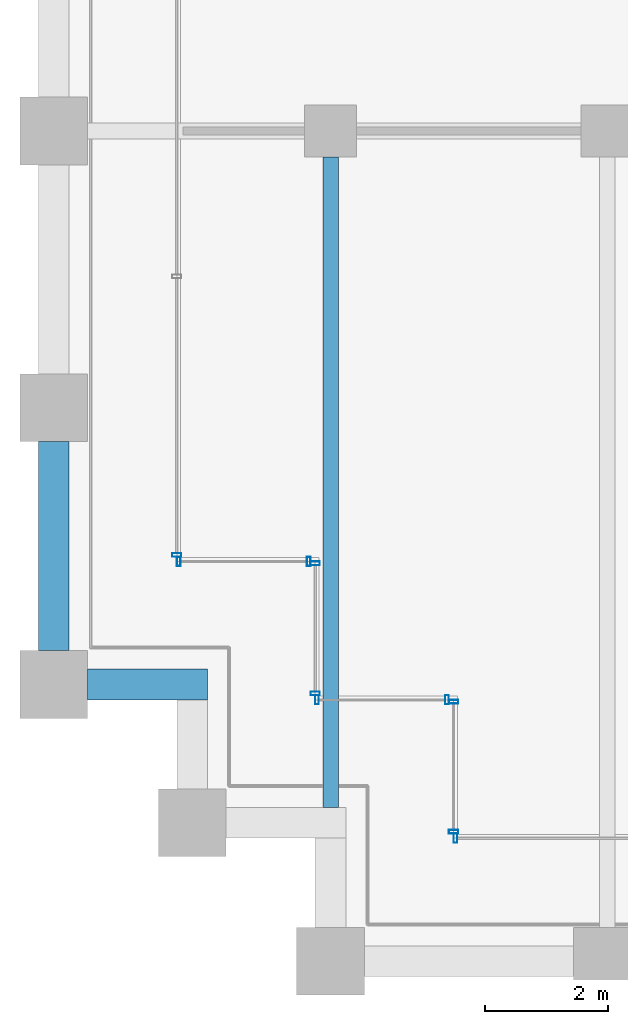
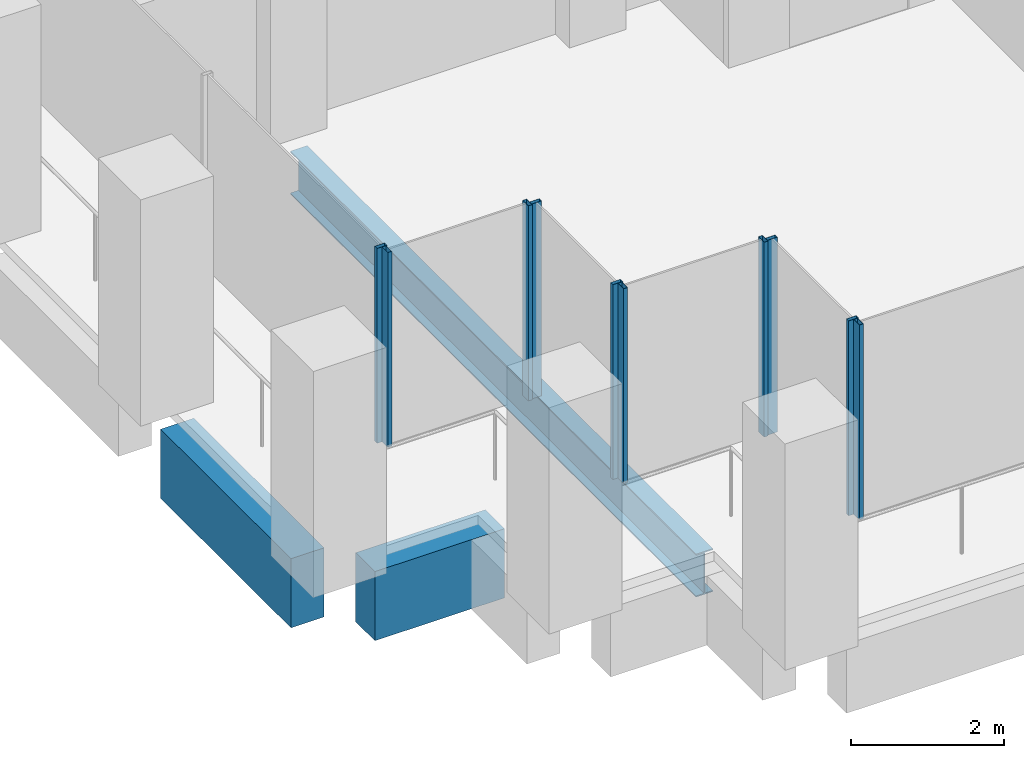
# One storey, part 2 of 56: 10 members, 3 beams, 6 elements without a shape of their own.
"""IFC4 building model written with IfcOpenShell, lengths in metres."""

from ifc_helpers import new_model, si_unit, direction, frame, origin, origin_2d, place, context, subcontext, project, spatial, rectangle, hollow_rectangle, i_section, extrude, material, material_profile, profile_set, type_object, element, aggregate, save


model = new_model("IFC4")

# Units and contexts
model_context = context("Model", 3, precision=1e-05, world=origin(), true_north=direction((0.0, 1.0)))
body_context = subcontext(model_context, "Body", "Model", "MODEL_VIEW")
ifc_project = project(units=[si_unit("LENGTHUNIT", "METRE"), si_unit("AREAUNIT", "SQUARE_METRE"), si_unit("VOLUMEUNIT", "CUBIC_METRE"), si_unit("PLANEANGLEUNIT", "RADIAN"), si_unit("MASSUNIT", "GRAM", prefix="KILO")], contexts=[model_context])

# Site, building, storey
site_placement = place(None, origin())
site = spatial("IfcSite", under=ifc_project, at=site_placement, CompositionType="ELEMENT")
building_placement = place(site_placement, origin())
building = spatial("IfcBuilding", under=site, at=building_placement, Name="Altepetl Exchange Towers", CompositionType="ELEMENT")
storey_placement = place(building_placement, frame((0.0, 0.0, 76.199951171875)))
storey = spatial("IfcBuildingStorey", under=building, at=storey_placement, Name="L18", CompositionType="ELEMENT", Elevation=76.199951171875)

# Beam
ifc_material_1 = material(Name="Steel S355", Category="steel")
ifc_material_profile_1 = material_profile(ifc_material_1, i_section(OverallWidth=0.25390625, OverallDepth=0.68408203125, WebThickness=0.012451171875, FlangeThickness=0.018798828125, at=origin_2d()), Name="W27X94")
ifc_profile_set_1 = profile_set([ifc_material_profile_1], Name="Steel S355")
beam_type_1 = type_object("IfcBeamType", Name="Floor beam W27X94", PredefinedType="BEAM", material=ifc_profile_set_1)
beam_1_placement = place(storey_placement, frame((31.5, 29.5, -0.491943359375), z_axis=(0.0, 1.0, 0.0), x_axis=(-1.0, 0.0, 0.0)))
element("IfcBeam", 1, at=beam_1_placement, inside=storey, type_object=beam_type_1, Name="bm:A:L18:012", PredefinedType="BEAM", context=body_context, shape_type="SweptSolid", body=[
    extrude(i_section(OverallWidth=0.25390625, OverallDepth=0.68408203125, WebThickness=0.012451171875, FlangeThickness=0.018798828125, at=origin_2d()), origin(), (0.0, 0.0, 1.0), 10.574951171875),
])

# Curtain wall, member
ifc_material_2 = material(Name="Aluminium 6063-T6 glazing", Category="aluminium")
curtain_wall_type = type_object("IfcCurtainWallType", Name="Loggia glazing system", PredefinedType="NOTDEFINED", material=ifc_material_2)
curtain_wall_1_placement = place(storey_placement, origin())
curtain_wall_1 = element("IfcCurtainWall", 2, at=curtain_wall_1_placement, inside=storey, type_object=curtain_wall_type, Name="CW1 run", PredefinedType="NOTDEFINED")
ifc_material_3 = material(Name="Aluminium 6063-T6", Category="aluminium")
ifc_material_profile_2 = material_profile(ifc_material_3, hollow_rectangle(XDim=0.06005859375, YDim=0.14990234375, WallThickness=0.0029296875, at=origin_2d()), Name="Mullion 60x150 aluminium")
ifc_profile_set_2 = profile_set([ifc_material_profile_2], Name="Aluminium 6063-T6")
member_type = type_object("IfcMemberType", Name="Mullion 60x150 aluminium", PredefinedType="MULLION", material=ifc_profile_set_2)
member_1_placement = place(storey_placement, frame((29.0, 33.60498046875, 0.0), z_axis=(0.0, 0.0, 1.0), x_axis=(0.0, -1.0, 0.0)))
member_1 = element("IfcMember", 3, at=member_1_placement, type_object=member_type, Name="MU1 mullion", PredefinedType="MULLION", context=body_context, shape_type="SweptSolid", body=[
    extrude(hollow_rectangle(XDim=0.06005859375, YDim=0.14990234375, WallThickness=0.0029296875, at=origin_2d()), origin(), (0.0, 0.0, 1.0), 3.10009765625),
])
aggregate(curtain_wall_1, [member_1])

# Curtain wall, members
curtain_wall_2_placement = place(storey_placement, origin())
curtain_wall_2 = element("IfcCurtainWall", 4, at=curtain_wall_2_placement, inside=storey, type_object=curtain_wall_type, Name="CW1 run", PredefinedType="NOTDEFINED")
member_2_placement = place(storey_placement, frame((29.030029296875, 33.5, 0.0)))
member_2 = element("IfcMember", 5, at=member_2_placement, type_object=member_type, Name="MU1 mullion", PredefinedType="MULLION", context=body_context, shape_type="SweptSolid", body=[
    extrude(hollow_rectangle(XDim=0.06005859375, YDim=0.14990234375, WallThickness=0.0029296875, at=origin_2d()), origin(), (0.0, 0.0, 1.0), 3.10009765625),
])
member_3_placement = place(storey_placement, frame((31.14501953125, 33.5, 0.0)))
member_3 = element("IfcMember", 6, at=member_3_placement, type_object=member_type, Name="MU1 mullion", PredefinedType="MULLION", context=body_context, shape_type="SweptSolid", body=[
    extrude(hollow_rectangle(XDim=0.06005859375, YDim=0.14990234375, WallThickness=0.0029296875, at=origin_2d()), origin(), (0.0, 0.0, 1.0), 3.10009765625),
])
aggregate(curtain_wall_2, [member_2, member_3])

curtain_wall_3_placement = place(storey_placement, origin())
curtain_wall_3 = element("IfcCurtainWall", 7, at=curtain_wall_3_placement, inside=storey, type_object=curtain_wall_type, Name="CW1 run", PredefinedType="NOTDEFINED")
member_4_placement = place(storey_placement, frame((31.25, 33.469970703125, 0.0), z_axis=(0.0, 0.0, 1.0), x_axis=(0.0, -1.0, 0.0)))
member_4 = element("IfcMember", 8, at=member_4_placement, type_object=member_type, Name="MU1 mullion", PredefinedType="MULLION", context=body_context, shape_type="SweptSolid", body=[
    extrude(hollow_rectangle(XDim=0.06005859375, YDim=0.14990234375, WallThickness=0.0029296875, at=origin_2d()), origin(), (0.0, 0.0, 1.0), 3.10009765625),
])
member_5_placement = place(storey_placement, frame((31.25, 31.35498046875, 0.0), z_axis=(0.0, 0.0, 1.0), x_axis=(0.0, -1.0, 0.0)))
member_5 = element("IfcMember", 9, at=member_5_placement, type_object=member_type, Name="MU1 mullion", PredefinedType="MULLION", context=body_context, shape_type="SweptSolid", body=[
    extrude(hollow_rectangle(XDim=0.06005859375, YDim=0.14990234375, WallThickness=0.0029296875, at=origin_2d()), origin(), (0.0, 0.0, 1.0), 3.10009765625),
])
aggregate(curtain_wall_3, [member_4, member_5])

curtain_wall_4_placement = place(storey_placement, origin())
curtain_wall_4 = element("IfcCurtainWall", 10, at=curtain_wall_4_placement, inside=storey, type_object=curtain_wall_type, Name="CW1 run", PredefinedType="NOTDEFINED")
member_6_placement = place(storey_placement, frame((31.280029296875, 31.25, 0.0)))
member_6 = element("IfcMember", 11, at=member_6_placement, type_object=member_type, Name="MU1 mullion", PredefinedType="MULLION", context=body_context, shape_type="SweptSolid", body=[
    extrude(hollow_rectangle(XDim=0.06005859375, YDim=0.14990234375, WallThickness=0.0029296875, at=origin_2d()), origin(), (0.0, 0.0, 1.0), 3.10009765625),
])
member_7_placement = place(storey_placement, frame((33.39501953125, 31.25, 0.0)))
member_7 = element("IfcMember", 12, at=member_7_placement, type_object=member_type, Name="MU1 mullion", PredefinedType="MULLION", context=body_context, shape_type="SweptSolid", body=[
    extrude(hollow_rectangle(XDim=0.06005859375, YDim=0.14990234375, WallThickness=0.0029296875, at=origin_2d()), origin(), (0.0, 0.0, 1.0), 3.10009765625),
])
aggregate(curtain_wall_4, [member_6, member_7])

curtain_wall_5_placement = place(storey_placement, origin())
curtain_wall_5 = element("IfcCurtainWall", 13, at=curtain_wall_5_placement, inside=storey, type_object=curtain_wall_type, Name="CW1 run", PredefinedType="NOTDEFINED")
member_8_placement = place(storey_placement, frame((33.5, 31.219970703125, 0.0), z_axis=(0.0, 0.0, 1.0), x_axis=(0.0, -1.0, 0.0)))
member_8 = element("IfcMember", 14, at=member_8_placement, type_object=member_type, Name="MU1 mullion", PredefinedType="MULLION", context=body_context, shape_type="SweptSolid", body=[
    extrude(hollow_rectangle(XDim=0.06005859375, YDim=0.14990234375, WallThickness=0.0029296875, at=origin_2d()), origin(), (0.0, 0.0, 1.0), 3.10009765625),
])
member_9_placement = place(storey_placement, frame((33.5, 29.10498046875, 0.0), z_axis=(0.0, 0.0, 1.0), x_axis=(0.0, -1.0, 0.0)))
member_9 = element("IfcMember", 15, at=member_9_placement, type_object=member_type, Name="MU1 mullion", PredefinedType="MULLION", context=body_context, shape_type="SweptSolid", body=[
    extrude(hollow_rectangle(XDim=0.06005859375, YDim=0.14990234375, WallThickness=0.0029296875, at=origin_2d()), origin(), (0.0, 0.0, 1.0), 3.10009765625),
])
aggregate(curtain_wall_5, [member_8, member_9])

# Curtain wall, member
curtain_wall_6_placement = place(storey_placement, origin())
curtain_wall_6 = element("IfcCurtainWall", 16, at=curtain_wall_6_placement, inside=storey, type_object=curtain_wall_type, Name="CW1 run", PredefinedType="NOTDEFINED")
member_10_placement = place(storey_placement, frame((33.530029296875, 29.0, 0.0)))
member_10 = element("IfcMember", 17, at=member_10_placement, type_object=member_type, Name="MU1 mullion", PredefinedType="MULLION", context=body_context, shape_type="SweptSolid", body=[
    extrude(hollow_rectangle(XDim=0.06005859375, YDim=0.14990234375, WallThickness=0.0029296875, at=origin_2d()), origin(), (0.0, 0.0, 1.0), 3.10009765625),
])
aggregate(curtain_wall_6, [member_10])

# Beams
ifc_material_4 = material(Name="Concrete C50/60 precast with cantera blanca facing", Category="concrete")
ifc_material_profile_3 = material_profile(ifc_material_4, rectangle(XDim=0.5, YDim=1.10009765625, at=origin_2d()), Name="500 x 1100")
ifc_profile_set_3 = profile_set([ifc_material_profile_3], Name="Concrete C50/60 precast with cantera blanca facing")
beam_type_2 = type_object("IfcBeamType", Name="Spandrel beam 500x1100 cantera blanca", PredefinedType="SPANDREL", material=ifc_profile_set_3)
beam_2_placement = place(storey_placement, frame((27.0, 35.449951171875, -0.699951171875), z_axis=(0.0, -1.0, 0.0), x_axis=(1.0, 0.0, 0.0)))
element("IfcBeam", 18, at=beam_2_placement, inside=storey, type_object=beam_type_2, Name="sp:A:L18:043", PredefinedType="SPANDREL", context=body_context, shape_type="SweptSolid", body=[
    extrude(rectangle(XDim=0.5, YDim=1.10009765625, at=origin_2d()), origin(), (0.0, 0.0, 1.0), 3.39990234375),
])
beam_3_placement = place(storey_placement, frame((27.550048828125, 31.5, -0.699951171875), z_axis=(1.0, 0.0, 0.0), x_axis=(0.0, 1.0, 0.0)))
element("IfcBeam", 19, at=beam_3_placement, inside=storey, type_object=beam_type_2, Name="sp:A:L18:044", PredefinedType="SPANDREL", context=body_context, shape_type="SweptSolid", body=[
    extrude(rectangle(XDim=0.5, YDim=1.10009765625, at=origin_2d()), origin(), (0.0, 0.0, 1.0), 1.949951171875),
])

save(model, "model.ifc")
